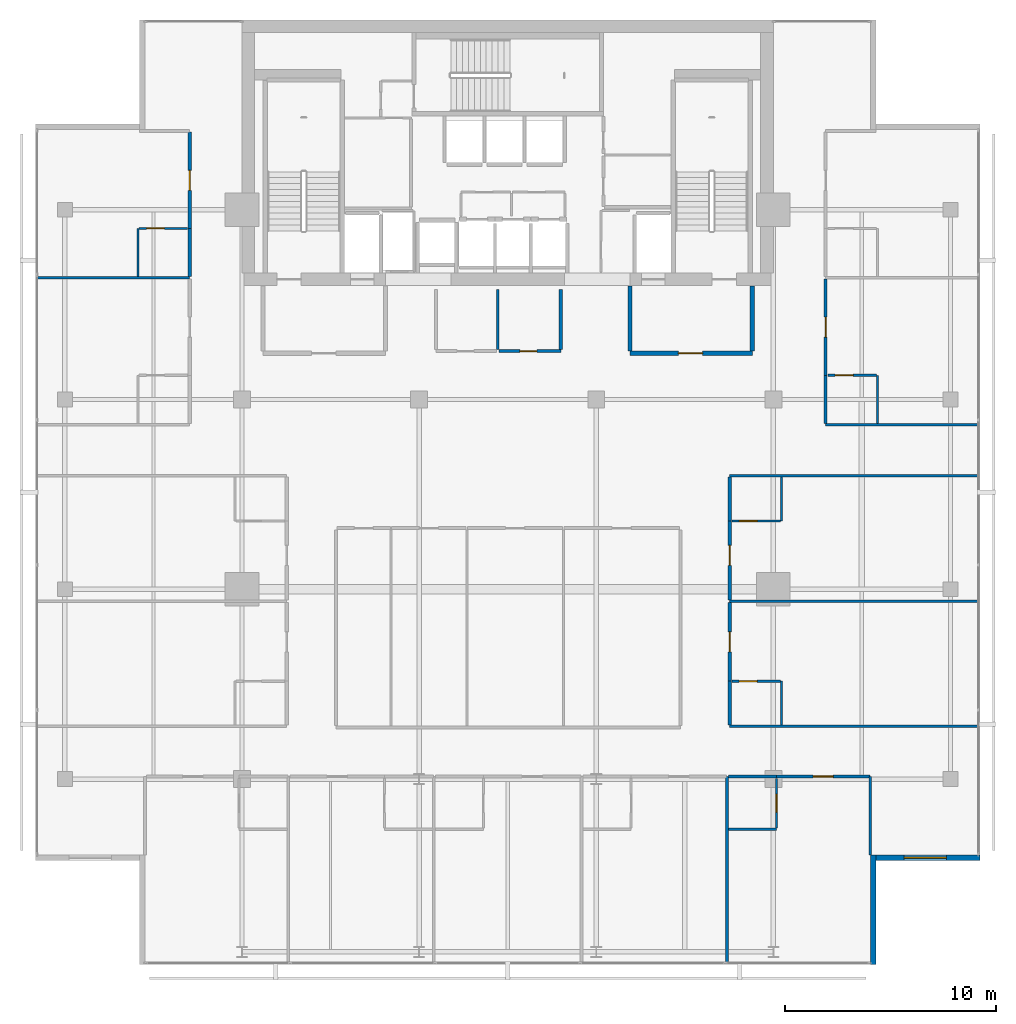
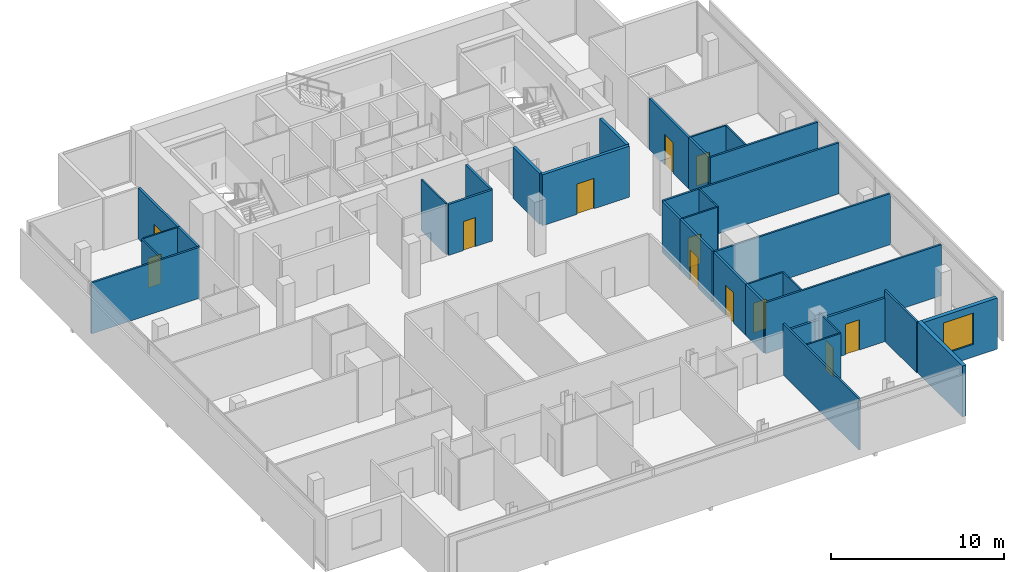
# One storey, part 21 of 26: 35 walls, 12 doors, 1 window, 13 openings.
"""IFC4 building model written with IfcOpenShell, lengths in metres."""

from ifc_helpers import new_model, si_unit, direction, frame, frame_2d, origin, place, context, subcontext, project, spatial, rectangle, extrude, material, layer, layer_set, type_object, element, fill, save


model = new_model("IFC4")

# Units and contexts
model_context = context("Model", 3, precision=1e-05, world=origin(), true_north=direction((0.0, 1.0)))
body_context = subcontext(model_context, "Body", "Model", "MODEL_VIEW")
ifc_project = project(units=[si_unit("LENGTHUNIT", "METRE"), si_unit("AREAUNIT", "SQUARE_METRE"), si_unit("VOLUMEUNIT", "CUBIC_METRE"), si_unit("PLANEANGLEUNIT", "RADIAN"), si_unit("MASSUNIT", "GRAM", prefix="KILO")], contexts=[model_context])

# Site, building, storey
site_placement = place(None, origin())
site = spatial("IfcSite", under=ifc_project, at=site_placement, CompositionType="ELEMENT")
building_placement = place(site_placement, origin())
building = spatial("IfcBuilding", under=site, at=building_placement, Name="Maruvema Waterfront Hotel and Observation Tower", CompositionType="ELEMENT")
storey_placement = place(building_placement, frame((0.0, 0.0, 266.35009765625)))
storey = spatial("IfcBuildingStorey", under=building, at=storey_placement, Name="L65", CompositionType="ELEMENT", Elevation=266.35009765625)

# Wall, opening, door
ifc_material_1 = material(Name="Twin-stud acoustic gypsum drywall", Category="gypsum")
ifc_layer_1 = layer(ifc_material_1, 0.14990234375, Name="Acoustic Corridor and Suite Demising Wall 150 mm")
ifc_layer_set_1 = layer_set([ifc_layer_1], Name="Twin-stud acoustic gypsum drywall")
wall_type_1 = type_object("IfcWallType", Name="Acoustic Corridor and Suite Demising Wall 150 mm", PredefinedType="PARTITIONING", material=ifc_layer_set_1)
wall_1_placement = place(storey_placement, frame((37.3798828125, 38.300048828125, 0.0), z_axis=(0.0, 0.0, 1.0), x_axis=(1.0, 0.0, 0.0)))
wall_1 = element("IfcWall", 1, at=wall_1_placement, inside=storey, type_object=wall_type_1, Name="L65 Core Apron K2B South 027", PredefinedType="PARTITIONING", context=body_context, shape_type="SweptSolid", body=[
    extrude(rectangle(XDim=2.940185546875, YDim=0.14990234375, at=frame_2d((1.47021484375, 0.0))), origin(), (0.0, 0.0, 1.0), 3.60986328125),
])
opening_1_placement = place(wall_1_placement, frame((1.0, 0.0, 0.0)))
opening_1 = element("IfcOpeningElement", 2, at=opening_1_placement, cuts=wall_1, Name="Opening DR-080", PredefinedType="OPENING", context=body_context, shape_type="SweptSolid", body=[
    extrude(rectangle(XDim=0.800048828125, YDim=2.050048828125, at=frame_2d((0.39990234375, 1.02490234375))), frame((0.0, 0.0849609375, 0.0), z_axis=(0.0, -1.0, 0.0), x_axis=(1.0, 0.0, 0.0)), (0.0, 0.0, 1.0), 0.169921875),
])
ifc_material_2 = material(Name="Powder-coated steel access leaf", Category="steel")
door_type_1 = type_object("IfcDoorType", Name="Riser and Service Cupboard Door 800x2050 mm", OperationType="NOTDEFINED", PredefinedType="DOOR", material=ifc_material_2)
door_1_placement = place(opening_1_placement, frame((0.800048828125, 0.0, 0.0), z_axis=(0.0, 0.0, 1.0), x_axis=(-1.0, 0.0, 0.0)))
door_1 = element("IfcDoor", 3, at=door_1_placement, inside=storey, type_object=door_type_1, Name="L65 Core Valet Closet Door", OperationType="SINGLE_SWING_RIGHT", OverallHeight=2.050048828125, OverallWidth=0.800048828125, PredefinedType="DOOR", context=body_context, shape_type="SweptSolid", body=[
    extrude(rectangle(XDim=0.800048828125, YDim=2.050048828125, at=frame_2d((0.39990234375, 1.02490234375))), frame((0.0, 0.02490234375, 0.0), z_axis=(0.0, -1.0, 0.0), x_axis=(1.0, 0.0, 0.0)), (0.0, 0.0, 1.0), 0.050048828125),
])
fill(opening_1, door_1)

# Walls
wall_2_placement = place(storey_placement, frame((40.320068359375, 38.3798828125, 0.0), z_axis=(0.0, 0.0, 1.0), x_axis=(0.0, 1.0, 0.0)))
element("IfcWall", 4, at=wall_2_placement, inside=storey, type_object=wall_type_1, Name="L65 Core Apron K2 East 030", PredefinedType="PARTITIONING", context=body_context, shape_type="SweptSolid", body=[
    extrude(rectangle(XDim=2.840087890625, YDim=0.14990234375, at=frame_2d((1.419921875, 0.0))), origin(), (0.0, 0.0, 1.0), 3.60986328125),
])
wall_3_placement = place(storey_placement, frame((48.280029296875, 18.1201171875, 0.0), z_axis=(0.0, 0.0, 1.0), x_axis=(1.0, 0.0, 0.0)))
element("IfcWall", 5, at=wall_3_placement, inside=storey, type_object=wall_type_1, Name="L65 Bath L65-S5 Back Wall 063", PredefinedType="PARTITIONING", context=body_context, shape_type="SweptSolid", body=[
    extrude(rectangle(XDim=2.27001953125, YDim=0.14990234375, at=frame_2d((1.135009765625, 0.0))), origin(), (0.0, 0.0, 1.0), 3.076904296875),
])

# Wall, opening, door
wall_4_placement = place(storey_placement, frame((50.550048828125, 18.1201171875, 0.0), z_axis=(0.0, 0.0, 1.0), x_axis=(1.0, 0.0, 0.0)))
wall_4 = element("IfcWall", 6, at=wall_4_placement, inside=storey, type_object=wall_type_1, Name="L65 Unit L65-S5 Corridor Wall 066", PredefinedType="PARTITIONING", context=body_context, shape_type="SweptSolid", body=[
    extrude(rectangle(XDim=4.429931640625, YDim=0.14990234375, at=frame_2d((2.21484375, 0.0))), origin(), (0.0, 0.0, 1.0), 3.076904296875),
])
opening_2_placement = place(wall_4_placement, frame((1.739990234375, 0.0, 0.0)))
opening_2 = element("IfcOpeningElement", 7, at=opening_2_placement, cuts=wall_4, Name="Opening DR-095", PredefinedType="OPENING", context=body_context, shape_type="SweptSolid", body=[
    extrude(rectangle(XDim=0.949951171875, YDim=2.14990234375, at=frame_2d((0.47509765625, 1.074951171875))), frame((0.0, 0.0849609375, 0.0), z_axis=(0.0, -1.0, 0.0), x_axis=(1.0, 0.0, 0.0)), (0.0, 0.0, 1.0), 0.169921875),
])
ifc_material_3 = material(Name="Acoustic solid-core hardwood timber leaf", Category="wood")
door_type_2 = type_object("IfcDoorType", Name="Guestroom Entrance Fire Door 950x2150 mm", OperationType="NOTDEFINED", PredefinedType="DOOR", material=ifc_material_3)
door_2_placement = place(opening_2_placement, frame((0.949951171875, 0.0, 0.0), z_axis=(0.0, 0.0, 1.0), x_axis=(-1.0, 0.0, 0.0)))
door_2 = element("IfcDoor", 8, at=door_2_placement, inside=storey, type_object=door_type_2, Name="L65 Unit L65-S5 Entrance Door", OperationType="SINGLE_SWING_RIGHT", OverallHeight=2.14990234375, OverallWidth=0.949951171875, PredefinedType="DOOR", context=body_context, shape_type="SweptSolid", body=[
    extrude(rectangle(XDim=0.949951171875, YDim=2.14990234375, at=frame_2d((0.47509765625, 1.074951171875))), frame((0.0, 0.02490234375, 0.0), z_axis=(0.0, -1.0, 0.0), x_axis=(1.0, 0.0, 0.0)), (0.0, 0.0, 1.0), 0.050048828125),
])
fill(opening_2, door_2)

# Wall
wall_5_placement = place(storey_placement, frame((48.330078125, 20.56005859375, 0.0), z_axis=(0.0, 0.0, 1.0), x_axis=(0.0, 1.0, 0.0)))
element("IfcWall", 9, at=wall_5_placement, inside=storey, type_object=wall_type_1, Name="L65 Bath L65-E1 Wall 075", PredefinedType="PARTITIONING", context=body_context, shape_type="SweptSolid", body=[
    extrude(rectangle(XDim=2.079833984375, YDim=0.14990234375, at=frame_2d((1.0400390625, 0.0))), origin(), (0.0, 0.0, 1.0), 3.60986328125),
])

# Wall, opening, door
wall_6_placement = place(storey_placement, frame((48.330078125, 22.639892578125, 0.0), z_axis=(0.0, 0.0, 1.0), x_axis=(0.0, 1.0, 0.0)))
wall_6 = element("IfcWall", 10, at=wall_6_placement, inside=storey, type_object=wall_type_1, Name="L65 Room L65-E1 Corridor Wall 076", PredefinedType="PARTITIONING", context=body_context, shape_type="SweptSolid", body=[
    extrude(rectangle(XDim=3.739990234375, YDim=0.14990234375, at=frame_2d((1.8701171875, 0.0))), origin(), (0.0, 0.0, 1.0), 3.60986328125),
])
opening_3_placement = place(wall_6_placement, frame((1.39501953125, 0.0, 0.0)))
opening_3 = element("IfcOpeningElement", 11, at=opening_3_placement, cuts=wall_6, Name="Opening DR-095", PredefinedType="OPENING", context=body_context, shape_type="SweptSolid", body=[
    extrude(rectangle(XDim=0.949951171875, YDim=2.14990234375, at=frame_2d((0.47509765625, 1.074951171875))), frame((0.0, 0.0849609375, 0.0), z_axis=(0.0, -1.0, 0.0), x_axis=(1.0, 0.0, 0.0)), (0.0, 0.0, 1.0), 0.169921875),
])
door_3_placement = place(opening_3_placement, frame((0.949951171875, 0.0, 0.0), z_axis=(0.0, 0.0, 1.0), x_axis=(-1.0, 0.0, 0.0)))
door_3 = element("IfcDoor", 12, at=door_3_placement, inside=storey, type_object=door_type_2, Name="L65 Room L65-E1 Entrance Door", OperationType="SINGLE_SWING_RIGHT", OverallHeight=2.14990234375, OverallWidth=0.949951171875, PredefinedType="DOOR", context=body_context, shape_type="SweptSolid", body=[
    extrude(rectangle(XDim=0.949951171875, YDim=2.14990234375, at=frame_2d((0.47509765625, 1.074951171875))), frame((0.0, 0.02490234375, 0.0), z_axis=(0.0, -1.0, 0.0), x_axis=(1.0, 0.0, 0.0)), (0.0, 0.0, 1.0), 0.050048828125),
])
fill(opening_3, door_3)

wall_7_placement = place(storey_placement, frame((48.330078125, 26.5, 0.0), z_axis=(0.0, 0.0, 1.0), x_axis=(0.0, 1.0, 0.0)))
wall_7 = element("IfcWall", 13, at=wall_7_placement, inside=storey, type_object=wall_type_1, Name="L65 Room L65-E2 Corridor Wall 085", PredefinedType="PARTITIONING", context=body_context, shape_type="SweptSolid", body=[
    extrude(rectangle(XDim=3.739990234375, YDim=0.14990234375, at=frame_2d((1.8701171875, 0.0))), origin(), (0.0, 0.0, 1.0), 3.60986328125),
])
opening_4_placement = place(wall_7_placement, frame((1.635009765625, 0.0, 0.0)))
opening_4 = element("IfcOpeningElement", 14, at=opening_4_placement, cuts=wall_7, Name="Opening DR-095", PredefinedType="OPENING", context=body_context, shape_type="SweptSolid", body=[
    extrude(rectangle(XDim=0.949951171875, YDim=2.14990234375, at=frame_2d((0.47509765625, 1.074951171875))), frame((0.0, 0.0849609375, 0.0), z_axis=(0.0, -1.0, 0.0), x_axis=(1.0, 0.0, 0.0)), (0.0, 0.0, 1.0), 0.169921875),
])
door_4_placement = place(opening_4_placement, frame((0.949951171875, 0.0, 0.0), z_axis=(0.0, 0.0, 1.0), x_axis=(-1.0, 0.0, 0.0)))
door_4 = element("IfcDoor", 15, at=door_4_placement, inside=storey, type_object=door_type_2, Name="L65 Room L65-E2 Entrance Door", OperationType="SINGLE_SWING_RIGHT", OverallHeight=2.14990234375, OverallWidth=0.949951171875, PredefinedType="DOOR", context=body_context, shape_type="SweptSolid", body=[
    extrude(rectangle(XDim=0.949951171875, YDim=2.14990234375, at=frame_2d((0.47509765625, 1.074951171875))), frame((0.0, 0.02490234375, 0.0), z_axis=(0.0, -1.0, 0.0), x_axis=(1.0, 0.0, 0.0)), (0.0, 0.0, 1.0), 0.050048828125),
])
fill(opening_4, door_4)

# Walls
wall_8_placement = place(storey_placement, frame((48.330078125, 30.239990234375, 0.0), z_axis=(0.0, 0.0, 1.0), x_axis=(0.0, 1.0, 0.0)))
element("IfcWall", 16, at=wall_8_placement, inside=storey, type_object=wall_type_1, Name="L65 Bath L65-E2 Wall 086", PredefinedType="PARTITIONING", context=body_context, shape_type="SweptSolid", body=[
    extrude(rectangle(XDim=2.080078125, YDim=0.14990234375, at=frame_2d((1.0400390625, 0.0))), origin(), (0.0, 0.0, 1.0), 3.60986328125),
])
wall_9_placement = place(storey_placement, frame((52.8798828125, 34.860107421875, 0.0), z_axis=(0.0, 0.0, 1.0), x_axis=(0.0, 1.0, 0.0)))
element("IfcWall", 17, at=wall_9_placement, inside=storey, type_object=wall_type_1, Name="L65 Bath L65-NE1 Wall 097", PredefinedType="PARTITIONING", context=body_context, shape_type="SweptSolid", body=[
    extrude(rectangle(XDim=2.289794921875, YDim=0.14990234375, at=frame_2d((1.14501953125, 0.0))), origin(), (0.0, 0.0, 1.0), 3.60986328125),
])

# Wall, opening, door
wall_10_placement = place(storey_placement, frame((52.8798828125, 37.14990234375, 0.0), z_axis=(0.0, 0.0, 1.0), x_axis=(0.0, 1.0, 0.0)))
wall_10 = element("IfcWall", 18, at=wall_10_placement, inside=storey, type_object=wall_type_1, Name="L65 Room L65-NE1 Corridor Wall 098", PredefinedType="PARTITIONING", context=body_context, shape_type="SweptSolid", body=[
    extrude(rectangle(XDim=4.558837890625, YDim=0.14990234375, at=frame_2d((2.279296875, 0.0))), origin(), (0.0, 0.0, 1.0), 3.60986328125),
])
opening_5_placement = place(wall_10_placement, frame((1.804443359375, 0.0, 0.0)))
opening_5 = element("IfcOpeningElement", 19, at=opening_5_placement, cuts=wall_10, Name="Opening DR-095", PredefinedType="OPENING", context=body_context, shape_type="SweptSolid", body=[
    extrude(rectangle(XDim=0.949951171875, YDim=2.14990234375, at=frame_2d((0.47509765625, 1.074951171875))), frame((0.0, 0.0849609375, 0.0), z_axis=(0.0, -1.0, 0.0), x_axis=(1.0, 0.0, 0.0)), (0.0, 0.0, 1.0), 0.169921875),
])
door_5_placement = place(opening_5_placement, frame((0.949951171875, 0.0, 0.0), z_axis=(0.0, 0.0, 1.0), x_axis=(-1.0, 0.0, 0.0)))
door_5 = element("IfcDoor", 20, at=door_5_placement, inside=storey, type_object=door_type_2, Name="L65 Room L65-NE1 Entrance Door", OperationType="SINGLE_SWING_RIGHT", OverallHeight=2.14990234375, OverallWidth=0.949951171875, PredefinedType="DOOR", context=body_context, shape_type="SweptSolid", body=[
    extrude(rectangle(XDim=0.949951171875, YDim=2.14990234375, at=frame_2d((0.47509765625, 1.074951171875))), frame((0.0, 0.02490234375, 0.0), z_axis=(0.0, -1.0, 0.0), x_axis=(1.0, 0.0, 0.0)), (0.0, 0.0, 1.0), 0.050048828125),
])
fill(opening_5, door_5)

# Wall
wall_11_placement = place(storey_placement, frame((22.719970703125, 41.82861328125, 0.0), z_axis=(0.0, 0.0, 1.0), x_axis=(0.0, 1.0, 0.0)))
element("IfcWall", 21, at=wall_11_placement, inside=storey, type_object=wall_type_1, Name="L65 Bath L65-NW2 Wall 103", PredefinedType="PARTITIONING", context=body_context, shape_type="SweptSolid", body=[
    extrude(rectangle(XDim=2.2900390625, YDim=0.14990234375, at=frame_2d((1.14501953125, 0.0))), origin(), (0.0, 0.0, 1.0), 3.60986328125),
])

# Wall, opening, door
wall_12_placement = place(storey_placement, frame((22.719970703125, 44.11865234375, 0.0), z_axis=(0.0, 0.0, 1.0), x_axis=(0.0, 1.0, 0.0)))
wall_12 = element("IfcWall", 22, at=wall_12_placement, inside=storey, type_object=wall_type_1, Name="L65 Room L65-NW2 Corridor Wall 104", PredefinedType="PARTITIONING", context=body_context, shape_type="SweptSolid", body=[
    extrude(rectangle(XDim=4.558837890625, YDim=0.14990234375, at=frame_2d((2.279296875, 0.0))), origin(), (0.0, 0.0, 1.0), 3.60986328125),
])
opening_6_placement = place(wall_12_placement, frame((1.804443359375, 0.0, 0.0)))
opening_6 = element("IfcOpeningElement", 23, at=opening_6_placement, cuts=wall_12, Name="Opening DR-095", PredefinedType="OPENING", context=body_context, shape_type="SweptSolid", body=[
    extrude(rectangle(XDim=0.949951171875, YDim=2.14990234375, at=frame_2d((0.47509765625, 1.074951171875))), frame((0.0, 0.0849609375, 0.0), z_axis=(0.0, -1.0, 0.0), x_axis=(1.0, 0.0, 0.0)), (0.0, 0.0, 1.0), 0.169921875),
])
door_6_placement = place(opening_6_placement, origin())
door_6 = element("IfcDoor", 24, at=door_6_placement, inside=storey, type_object=door_type_2, Name="L65 Room L65-NW2 Entrance Door", OperationType="SINGLE_SWING_RIGHT", OverallHeight=2.14990234375, OverallWidth=0.949951171875, PredefinedType="DOOR", context=body_context, shape_type="SweptSolid", body=[
    extrude(rectangle(XDim=0.949951171875, YDim=2.14990234375, at=frame_2d((0.47509765625, 1.074951171875))), frame((0.0, 0.02490234375, 0.0), z_axis=(0.0, -1.0, 0.0), x_axis=(1.0, 0.0, 0.0)), (0.0, 0.0, 1.0), 0.050048828125),
])
fill(opening_6, door_6)

# Walls
ifc_material_4 = material(Name="Moisture-resistant cement-board drywall", Category="gypsum")
ifc_layer_2 = layer(ifc_material_4, 0.10009765625, Name="En-Suite Moisture-Resistant Partition 100 mm")
ifc_layer_set_2 = layer_set([ifc_layer_2], Name="Moisture-resistant cement-board drywall")
wall_type_2 = type_object("IfcWallType", Name="En-Suite Moisture-Resistant Partition 100 mm", PredefinedType="PARTITIONING", material=ifc_layer_set_2)
wall_13_placement = place(storey_placement, frame((37.330078125, 38.3798828125, 0.0), z_axis=(0.0, 0.0, 1.0), x_axis=(0.0, 1.0, 0.0)))
element("IfcWall", 25, at=wall_13_placement, inside=storey, type_object=wall_type_2, Name="L65 Core Apron K2 Split 029", PredefinedType="PARTITIONING", context=body_context, shape_type="SweptSolid", body=[
    extrude(rectangle(XDim=2.840087890625, YDim=0.10009765625, at=frame_2d((1.419921875, 0.0))), origin(), (0.0, 0.0, 1.0), 3.60986328125),
])
wall_14_placement = place(storey_placement, frame((48.280029296875, 15.6201171875, 0.0), z_axis=(0.0, 0.0, 1.0), x_axis=(1.0, 0.0, 0.0)))
element("IfcWall", 26, at=wall_14_placement, inside=storey, type_object=wall_type_2, Name="L65 En-Suite L65-S5 South 064", PredefinedType="PARTITIONING", context=body_context, shape_type="SweptSolid", body=[
    extrude(rectangle(XDim=2.27001953125, YDim=0.10009765625, at=frame_2d((1.135009765625, 0.0))), origin(), (0.0, 0.0, 1.0), 3.60986328125),
])

# Wall, opening, door
wall_15_placement = place(storey_placement, frame((50.550048828125, 15.679931640625, 0.0), z_axis=(0.0, 0.0, 1.0), x_axis=(0.0, 1.0, 0.0)))
wall_15 = element("IfcWall", 27, at=wall_15_placement, inside=storey, type_object=wall_type_2, Name="L65 En-Suite L65-S5 East 065", PredefinedType="PARTITIONING", context=body_context, shape_type="SweptSolid", body=[
    extrude(rectangle(XDim=2.340087890625, YDim=0.10009765625, at=frame_2d((1.169921875, 0.0))), origin(), (0.0, 0.0, 1.0), 3.60986328125),
])
opening_7_placement = place(wall_15_placement, frame((0.7451171875, 0.0, 0.0)))
opening_7 = element("IfcOpeningElement", 28, at=opening_7_placement, cuts=wall_15, Name="Opening DR-085", PredefinedType="OPENING", context=body_context, shape_type="SweptSolid", body=[
    extrude(rectangle(XDim=0.85009765625, YDim=2.10009765625, at=frame_2d((0.425048828125, 1.050048828125))), frame((0.0, 0.06005859375, 0.0), z_axis=(0.0, -1.0, 0.0), x_axis=(1.0, 0.0, 0.0)), (0.0, 0.0, 1.0), 0.1201171875),
])
ifc_material_5 = material(Name="Moisture-resistant solid timber leaf", Category="wood")
door_type_3 = type_object("IfcDoorType", Name="En-Suite Bathroom Door 850x2100 mm", OperationType="NOTDEFINED", PredefinedType="DOOR", material=ifc_material_5)
door_7_placement = place(opening_7_placement, frame((0.85009765625, 0.0, 0.0), z_axis=(0.0, 0.0, 1.0), x_axis=(-1.0, 0.0, 0.0)))
door_7 = element("IfcDoor", 29, at=door_7_placement, inside=storey, type_object=door_type_3, Name="L65 En-Suite L65-S5 Door", OperationType="SINGLE_SWING_LEFT", OverallHeight=2.10009765625, OverallWidth=0.85009765625, PredefinedType="DOOR", context=body_context, shape_type="SweptSolid", body=[
    extrude(rectangle(XDim=0.85009765625, YDim=2.10009765625, at=frame_2d((0.425048828125, 1.050048828125))), frame((0.0, 0.02490234375, 0.0), z_axis=(0.0, -1.0, 0.0), x_axis=(1.0, 0.0, 0.0)), (0.0, 0.0, 1.0), 0.050048828125),
])
fill(opening_7, door_7)

# Wall
wall_16_placement = place(storey_placement, frame((50.780029296875, 20.56005859375, 0.0), z_axis=(0.0, 0.0, 1.0), x_axis=(0.0, 1.0, 0.0)))
element("IfcWall", 30, at=wall_16_placement, inside=storey, type_object=wall_type_2, Name="L65 En-Suite L65-E1 E 077", PredefinedType="PARTITIONING", context=body_context, shape_type="SweptSolid", body=[
    extrude(rectangle(XDim=2.079833984375, YDim=0.10009765625, at=frame_2d((1.0400390625, 0.0))), origin(), (0.0, 0.0, 1.0), 3.60986328125),
])

# Wall, opening, door
wall_17_placement = place(storey_placement, frame((48.429931640625, 22.639892578125, 0.0), z_axis=(0.0, 0.0, 1.0), x_axis=(1.0, 0.0, 0.0)))
wall_17 = element("IfcWall", 31, at=wall_17_placement, inside=storey, type_object=wall_type_2, Name="L65 En-Suite L65-E1 N 078", PredefinedType="PARTITIONING", context=body_context, shape_type="SweptSolid", body=[
    extrude(rectangle(XDim=2.300048828125, YDim=0.10009765625, at=frame_2d((1.14990234375, 0.0))), origin(), (0.0, 0.0, 1.0), 3.60986328125),
])
opening_8_placement = place(wall_17_placement, frame((0.35009765625, 0.0, 0.0)))
opening_8 = element("IfcOpeningElement", 32, at=opening_8_placement, cuts=wall_17, Name="Opening DR-085", PredefinedType="OPENING", context=body_context, shape_type="SweptSolid", body=[
    extrude(rectangle(XDim=0.85009765625, YDim=2.10009765625, at=frame_2d((0.425048828125, 1.050048828125))), frame((0.0, 0.06005859375, 0.0), z_axis=(0.0, -1.0, 0.0), x_axis=(1.0, 0.0, 0.0)), (0.0, 0.0, 1.0), 0.1201171875),
])
door_8_placement = place(opening_8_placement, origin())
door_8 = element("IfcDoor", 33, at=door_8_placement, inside=storey, type_object=door_type_3, Name="L65 En-Suite L65-E1 Door", OperationType="SINGLE_SWING_LEFT", OverallHeight=2.10009765625, OverallWidth=0.85009765625, PredefinedType="DOOR", context=body_context, shape_type="SweptSolid", body=[
    extrude(rectangle(XDim=0.85009765625, YDim=2.10009765625, at=frame_2d((0.425048828125, 1.050048828125))), frame((0.0, 0.02490234375, 0.0), z_axis=(0.0, -1.0, 0.0), x_axis=(1.0, 0.0, 0.0)), (0.0, 0.0, 1.0), 0.050048828125),
])
fill(opening_8, door_8)

# Wall
wall_18_placement = place(storey_placement, frame((50.780029296875, 30.239990234375, 0.0), z_axis=(0.0, 0.0, 1.0), x_axis=(0.0, 1.0, 0.0)))
element("IfcWall", 34, at=wall_18_placement, inside=storey, type_object=wall_type_2, Name="L65 En-Suite L65-E2 E 087", PredefinedType="PARTITIONING", context=body_context, shape_type="SweptSolid", body=[
    extrude(rectangle(XDim=2.080078125, YDim=0.10009765625, at=frame_2d((1.0400390625, 0.0))), origin(), (0.0, 0.0, 1.0), 3.60986328125),
])

# Wall, opening, door
wall_19_placement = place(storey_placement, frame((48.429931640625, 30.239990234375, 0.0), z_axis=(0.0, 0.0, 1.0), x_axis=(1.0, 0.0, 0.0)))
wall_19 = element("IfcWall", 35, at=wall_19_placement, inside=storey, type_object=wall_type_2, Name="L65 En-Suite L65-E2 S 088", PredefinedType="PARTITIONING", context=body_context, shape_type="SweptSolid", body=[
    extrude(rectangle(XDim=2.300048828125, YDim=0.10009765625, at=frame_2d((1.14990234375, 0.0))), origin(), (0.0, 0.0, 1.0), 3.60986328125),
])
opening_9_placement = place(wall_19_placement, frame((0.35009765625, 0.0, 0.0)))
opening_9 = element("IfcOpeningElement", 36, at=opening_9_placement, cuts=wall_19, Name="Opening DR-085", PredefinedType="OPENING", context=body_context, shape_type="SweptSolid", body=[
    extrude(rectangle(XDim=0.85009765625, YDim=2.10009765625, at=frame_2d((0.425048828125, 1.050048828125))), frame((0.0, 0.06005859375, 0.0), z_axis=(0.0, -1.0, 0.0), x_axis=(1.0, 0.0, 0.0)), (0.0, 0.0, 1.0), 0.1201171875),
])
door_9_placement = place(opening_9_placement, frame((0.85009765625, 0.0, 0.0), z_axis=(0.0, 0.0, 1.0), x_axis=(-1.0, 0.0, 0.0)))
door_9 = element("IfcDoor", 37, at=door_9_placement, inside=storey, type_object=door_type_3, Name="L65 En-Suite L65-E2 Door", OperationType="SINGLE_SWING_LEFT", OverallHeight=2.10009765625, OverallWidth=0.85009765625, PredefinedType="DOOR", context=body_context, shape_type="SweptSolid", body=[
    extrude(rectangle(XDim=0.85009765625, YDim=2.10009765625, at=frame_2d((0.425048828125, 1.050048828125))), frame((0.0, 0.02490234375, 0.0), z_axis=(0.0, -1.0, 0.0), x_axis=(1.0, 0.0, 0.0)), (0.0, 0.0, 1.0), 0.050048828125),
])
fill(opening_9, door_9)

# Wall
wall_20_placement = place(storey_placement, frame((55.330078125, 34.860107421875, 0.0), z_axis=(0.0, 0.0, 1.0), x_axis=(0.0, 1.0, 0.0)))
element("IfcWall", 38, at=wall_20_placement, inside=storey, type_object=wall_type_2, Name="L65 En-Suite L65-NE1 E 099", PredefinedType="PARTITIONING", context=body_context, shape_type="SweptSolid", body=[
    extrude(rectangle(XDim=2.289794921875, YDim=0.10009765625, at=frame_2d((1.14501953125, 0.0))), origin(), (0.0, 0.0, 1.0), 3.60986328125),
])

# Wall, opening, door
wall_21_placement = place(storey_placement, frame((52.97998046875, 37.14990234375, 0.0), z_axis=(0.0, 0.0, 1.0), x_axis=(1.0, 0.0, 0.0)))
wall_21 = element("IfcWall", 39, at=wall_21_placement, inside=storey, type_object=wall_type_2, Name="L65 En-Suite L65-NE1 N 100", PredefinedType="PARTITIONING", context=body_context, shape_type="SweptSolid", body=[
    extrude(rectangle(XDim=2.300048828125, YDim=0.10009765625, at=frame_2d((1.14990234375, 0.0))), origin(), (0.0, 0.0, 1.0), 3.60986328125),
])
opening_10_placement = place(wall_21_placement, frame((0.35009765625, 0.0, 0.0)))
opening_10 = element("IfcOpeningElement", 40, at=opening_10_placement, cuts=wall_21, Name="Opening DR-085", PredefinedType="OPENING", context=body_context, shape_type="SweptSolid", body=[
    extrude(rectangle(XDim=0.85009765625, YDim=2.10009765625, at=frame_2d((0.425048828125, 1.050048828125))), frame((0.0, 0.06005859375, 0.0), z_axis=(0.0, -1.0, 0.0), x_axis=(1.0, 0.0, 0.0)), (0.0, 0.0, 1.0), 0.1201171875),
])
door_10_placement = place(opening_10_placement, origin())
door_10 = element("IfcDoor", 41, at=door_10_placement, inside=storey, type_object=door_type_3, Name="L65 En-Suite L65-NE1 Door", OperationType="SINGLE_SWING_LEFT", OverallHeight=2.10009765625, OverallWidth=0.85009765625, PredefinedType="DOOR", context=body_context, shape_type="SweptSolid", body=[
    extrude(rectangle(XDim=0.85009765625, YDim=2.10009765625, at=frame_2d((0.425048828125, 1.050048828125))), frame((0.0, 0.02490234375, 0.0), z_axis=(0.0, -1.0, 0.0), x_axis=(1.0, 0.0, 0.0)), (0.0, 0.0, 1.0), 0.050048828125),
])
fill(opening_10, door_10)

# Wall
wall_22_placement = place(storey_placement, frame((20.27001953125, 41.82861328125, 0.0), z_axis=(0.0, 0.0, 1.0), x_axis=(0.0, 1.0, 0.0)))
element("IfcWall", 42, at=wall_22_placement, inside=storey, type_object=wall_type_2, Name="L65 En-Suite L65-NW2 W 105", PredefinedType="PARTITIONING", context=body_context, shape_type="SweptSolid", body=[
    extrude(rectangle(XDim=2.2900390625, YDim=0.10009765625, at=frame_2d((1.14501953125, 0.0))), origin(), (0.0, 0.0, 1.0), 3.60986328125),
])

# Wall, opening, door
wall_23_placement = place(storey_placement, frame((20.320068359375, 44.11865234375, 0.0), z_axis=(0.0, 0.0, 1.0), x_axis=(1.0, 0.0, 0.0)))
wall_23 = element("IfcWall", 43, at=wall_23_placement, inside=storey, type_object=wall_type_2, Name="L65 En-Suite L65-NW2 N 106", PredefinedType="PARTITIONING", context=body_context, shape_type="SweptSolid", body=[
    extrude(rectangle(XDim=2.300048828125, YDim=0.10009765625, at=frame_2d((1.14990234375, 0.0))), origin(), (0.0, 0.0, 1.0), 3.60986328125),
])
opening_11_placement = place(wall_23_placement, frame((0.35009765625, 0.0, 0.0)))
opening_11 = element("IfcOpeningElement", 44, at=opening_11_placement, cuts=wall_23, Name="Opening DR-085", PredefinedType="OPENING", context=body_context, shape_type="SweptSolid", body=[
    extrude(rectangle(XDim=0.85009765625, YDim=2.10009765625, at=frame_2d((0.425048828125, 1.050048828125))), frame((0.0, 0.06005859375, 0.0), z_axis=(0.0, -1.0, 0.0), x_axis=(1.0, 0.0, 0.0)), (0.0, 0.0, 1.0), 0.1201171875),
])
door_11_placement = place(opening_11_placement, origin())
door_11 = element("IfcDoor", 45, at=door_11_placement, inside=storey, type_object=door_type_3, Name="L65 En-Suite L65-NW2 Door", OperationType="SINGLE_SWING_LEFT", OverallHeight=2.10009765625, OverallWidth=0.85009765625, PredefinedType="DOOR", context=body_context, shape_type="SweptSolid", body=[
    extrude(rectangle(XDim=0.85009765625, YDim=2.10009765625, at=frame_2d((0.425048828125, 1.050048828125))), frame((0.0, 0.02490234375, 0.0), z_axis=(0.0, -1.0, 0.0), x_axis=(1.0, 0.0, 0.0)), (0.0, 0.0, 1.0), 0.050048828125),
])
fill(opening_11, door_11)

# Wall
ifc_material_6 = material(Name="Precast concrete C45/55 with honed Pernambuco granite facing", Category="masonry")
ifc_layer_3 = layer(ifc_material_6, 0.260009765625, Name="Exterior Granite Clad Spandrel and Pier Wall 260 mm")
ifc_layer_set_3 = layer_set([ifc_layer_3], Name="Precast concrete C45/55 with honed Pernambuco granite facing")
wall_type_3 = type_object("IfcWallType", Name="Exterior Granite Clad Spandrel and Pier Wall 260 mm", PredefinedType="SOLIDWALL", material=ifc_layer_set_3)
wall_24_placement = place(storey_placement, frame((55.1298828125, 14.39990234375, 0.0), z_axis=(0.0, 0.0, 1.0), x_axis=(0.0, -1.0, 0.0)))
element("IfcWall", 46, at=wall_24_placement, inside=storey, type_object=wall_type_3, Name="L65 Corner Notch Granite Pier Wall SE1", PredefinedType="SOLIDWALL", context=body_context, shape_type="SweptSolid", body=[
    extrude(rectangle(XDim=5.199951171875, YDim=0.260009765625, at=frame_2d((2.60009765625, 0.0))), origin(), (0.0, 0.0, 1.0), 3.60986328125),
])

# Wall, opening, window
wall_25_placement = place(storey_placement, frame((60.199951171875, 14.27001953125, 0.0), z_axis=(0.0, 0.0, 1.0), x_axis=(-1.0, 0.0, 0.0)))
wall_25 = element("IfcWall", 47, at=wall_25_placement, inside=storey, type_object=wall_type_3, Name="L65 Corner Notch Granite Pier Wall SE2", PredefinedType="SOLIDWALL", context=body_context, shape_type="SweptSolid", body=[
    extrude(rectangle(XDim=5.199951171875, YDim=0.260009765625, at=frame_2d((2.60009765625, 0.0))), origin(), (0.0, 0.0, 1.0), 3.60986328125),
])
opening_12_placement = place(wall_25_placement, frame((1.60009765625, 0.0, 0.89990234375)))
opening_12 = element("IfcOpeningElement", 48, at=opening_12_placement, cuts=wall_25, Name="Opening WN-03", PredefinedType="OPENING", context=body_context, shape_type="SweptSolid", body=[
    extrude(rectangle(XDim=2.0, YDim=2.199951171875, at=frame_2d((1.0, 1.10009765625))), frame((0.0, 0.14013671875, 0.0), z_axis=(0.0, -1.0, 0.0), x_axis=(1.0, 0.0, 0.0)), (0.0, 0.0, 1.0), 0.280029296875),
])
ifc_material_7 = material(Name="Anodised bronze aluminium frame with laminated low-E glass", Category="aluminium")
window_type = type_object("IfcWindowType", Name="Sky Suite Panoramic Notch Window 2000x2200 mm", PartitioningType="SINGLE_PANEL", PredefinedType="WINDOW", material=ifc_material_7)
window_placement = place(opening_12_placement, origin())
window = element("IfcWindow", 49, at=window_placement, inside=storey, type_object=window_type, Name="L65 Corner Notch Punched Window SE2", OverallHeight=2.199951171875, OverallWidth=2.0, PartitioningType="SINGLE_PANEL", PredefinedType="WINDOW", context=body_context, shape_type="SweptSolid", body=[
    extrude(rectangle(XDim=2.0, YDim=2.199951171875, at=frame_2d((1.0, 1.10009765625))), frame((0.0, 0.030029296875, 0.0), z_axis=(0.0, -1.0, 0.0), x_axis=(1.0, 0.0, 0.0)), (0.0, 0.0, 1.0), 0.06005859375),
])
fill(opening_12, window)

# Wall, opening, door
ifc_material_8 = material(Name="Autoclaved cellular concrete blockwork", Category="masonry")
ifc_layer_4 = layer(ifc_material_8, 0.199951171875, Name="Fire Compartment Masonry Wall 200 mm")
ifc_layer_set_4 = layer_set([ifc_layer_4], Name="Autoclaved cellular concrete blockwork")
wall_type_4 = type_object("IfcWallType", Name="Fire Compartment Masonry Wall 200 mm", PredefinedType="PARTITIONING", material=ifc_layer_set_4)
wall_26_placement = place(storey_placement, frame((43.60009765625, 38.199951171875, 0.0), z_axis=(0.0, 0.0, 1.0), x_axis=(1.0, 0.0, 0.0)))
wall_26 = element("IfcWall", 50, at=wall_26_placement, inside=storey, type_object=wall_type_4, Name="L65 FFL East South Wall 004", PredefinedType="PARTITIONING", context=body_context, shape_type="SweptSolid", body=[
    extrude(rectangle(XDim=5.7998046875, YDim=0.199951171875, at=frame_2d((2.89990234375, 0.0))), origin(), (0.0, 0.0, 1.0), 3.60986328125),
])
opening_13_placement = place(wall_26_placement, frame((2.300048828125, 0.0, 0.0)))
opening_13 = element("IfcOpeningElement", 51, at=opening_13_placement, cuts=wall_26, Name="Opening FD-115", PredefinedType="OPENING", context=body_context, shape_type="SweptSolid", body=[
    extrude(rectangle(XDim=1.14990234375, YDim=2.14990234375, at=frame_2d((0.574951171875, 1.074951171875))), frame((0.0, 0.10986328125, 0.0), z_axis=(0.0, -1.0, 0.0), x_axis=(1.0, 0.0, 0.0)), (0.0, 0.0, 1.0), 0.219970703125),
])
ifc_material_9 = material(Name="Fire-rated galvanised steel and vision glass", Category="steel")
door_type_4 = type_object("IfcDoorType", Name="Firefighting Lobby Fire Door 1150x2150 mm", OperationType="NOTDEFINED", PredefinedType="DOOR", material=ifc_material_9)
door_12_placement = place(opening_13_placement, frame((1.14990234375, 0.0, 0.0), z_axis=(0.0, 0.0, 1.0), x_axis=(-1.0, 0.0, 0.0)))
door_12 = element("IfcDoor", 52, at=door_12_placement, inside=storey, type_object=door_type_4, Name="L65 Firefighting Lobby East Door", OperationType="SINGLE_SWING_RIGHT", OverallHeight=2.14990234375, OverallWidth=1.14990234375, PredefinedType="DOOR", context=body_context, shape_type="SweptSolid", body=[
    extrude(rectangle(XDim=1.14990234375, YDim=2.14990234375, at=frame_2d((0.574951171875, 1.074951171875))), frame((0.0, 0.02490234375, 0.0), z_axis=(0.0, -1.0, 0.0), x_axis=(1.0, 0.0, 0.0)), (0.0, 0.0, 1.0), 0.050048828125),
])
fill(opening_13, door_12)

# Walls
for number, where, z_axis, x_axis, name in (
    (53, (43.60009765625, 38.31005859375, 0.0), (0.0, 0.0, 1.0), (0.0, 1.0, 0.0), "L65 FFL East West Wall 005"),
    (54, (49.39990234375, 38.31005859375, 0.0), (0.0, 0.0, 1.0), (0.0, 1.0, 0.0), "L65 FFL East East Wall 006"),
):
    element("IfcWall", number, at=place(storey_placement, frame(where, z_axis=z_axis, x_axis=x_axis)), inside=storey, type_object=wall_type_4, Name=name, PredefinedType="PARTITIONING", context=body_context, shape_type="SweptSolid", body=[
        extrude(rectangle(XDim=3.06982421875, YDim=0.199951171875, at=frame_2d((1.534912109375, 0.0))), origin(), (0.0, 0.0, 1.0), 3.60986328125),
    ])
ifc_material_10 = material(Name="Acoustic gypsum plasterboard drywall", Category="gypsum")
ifc_layer_5 = layer(ifc_material_10, 0.125, Name="Guestroom Acoustic Demising Wall 125 mm")
ifc_layer_set_5 = layer_set([ifc_layer_5], Name="Acoustic gypsum plasterboard drywall")
wall_type_5 = type_object("IfcWallType", Name="Guestroom Acoustic Demising Wall 125 mm", PredefinedType="PARTITIONING", material=ifc_layer_set_5)
wall_27_placement = place(storey_placement, frame((55.0, 14.39990234375, 0.0), z_axis=(0.0, 0.0, 1.0), x_axis=(0.0, 1.0, 0.0)))
element("IfcWall", 55, at=wall_27_placement, inside=storey, type_object=wall_type_5, Name="L65 Z3 S East End 042", PredefinedType="PARTITIONING", context=body_context, shape_type="SweptSolid", body=[
    extrude(rectangle(XDim=3.72021484375, YDim=0.125, at=frame_2d((1.860107421875, 0.0))), origin(), (0.0, 0.0, 1.0), 3.60986328125),
])
wall_28_placement = place(storey_placement, frame((48.199951171875, 9.300048828125, 0.0), z_axis=(0.0, 0.0, 1.0), x_axis=(0.0, 1.0, 0.0)))
element("IfcWall", 56, at=wall_28_placement, inside=storey, type_object=wall_type_5, Name="L65 Z3 S Demising 5 062", PredefinedType="PARTITIONING", context=body_context, shape_type="SweptSolid", body=[
    extrude(rectangle(XDim=8.820068359375, YDim=0.125, at=frame_2d((4.41015625, 0.0))), origin(), (0.0, 0.0, 1.0), 3.60986328125),
])
for number, where, z_axis, x_axis, name in (
    (57, (48.330078125, 20.5, 0.0), (0.0, 0.0, 1.0), (1.0, 0.0, 0.0), "L65 Z3 E Bot End 068"),
    (58, (48.330078125, 32.3798828125, 0.0), (0.0, 0.0, 1.0), (1.0, 0.0, 0.0), "L65 Z3 E Top End 070"),
    (59, (48.330078125, 26.43994140625, 0.0), (0.0, 0.0, 1.0), (1.0, 0.0, 0.0), "L65 Z3 E Demising 2 080"),
):
    element("IfcWall", number, at=place(storey_placement, frame(where, z_axis=z_axis, x_axis=x_axis)), inside=storey, type_object=wall_type_5, Name=name, PredefinedType="PARTITIONING", context=body_context, shape_type="SweptSolid", body=[
        extrude(rectangle(XDim=11.77001953125, YDim=0.125, at=frame_2d((5.885009765625, 0.0))), origin(), (0.0, 0.0, 1.0), 3.60986328125),
    ])
wall_29_placement = place(storey_placement, frame((52.8798828125, 34.800048828125, 0.0), z_axis=(0.0, 0.0, 1.0), x_axis=(1.0, 0.0, 0.0)))
element("IfcWall", 60, at=wall_29_placement, inside=storey, type_object=wall_type_5, Name="L65 Z3 NE Bot End 090", PredefinedType="PARTITIONING", context=body_context, shape_type="SweptSolid", body=[
    extrude(rectangle(XDim=7.22021484375, YDim=0.125, at=frame_2d((3.610107421875, 0.0))), origin(), (0.0, 0.0, 1.0), 3.60986328125),
])
wall_30_placement = place(storey_placement, frame((15.5, 41.768798828125, 0.0), z_axis=(0.0, 0.0, 1.0), x_axis=(1.0, 0.0, 0.0)))
element("IfcWall", 61, at=wall_30_placement, inside=storey, type_object=wall_type_5, Name="L65 Z3 NW Demising 2 101", PredefinedType="PARTITIONING", context=body_context, shape_type="SweptSolid", body=[
    extrude(rectangle(XDim=7.219970703125, YDim=0.125, at=frame_2d((3.60986328125, 0.0))), origin(), (0.0, 0.0, 1.0), 3.60986328125),
])

save(model, "model.ifc")
